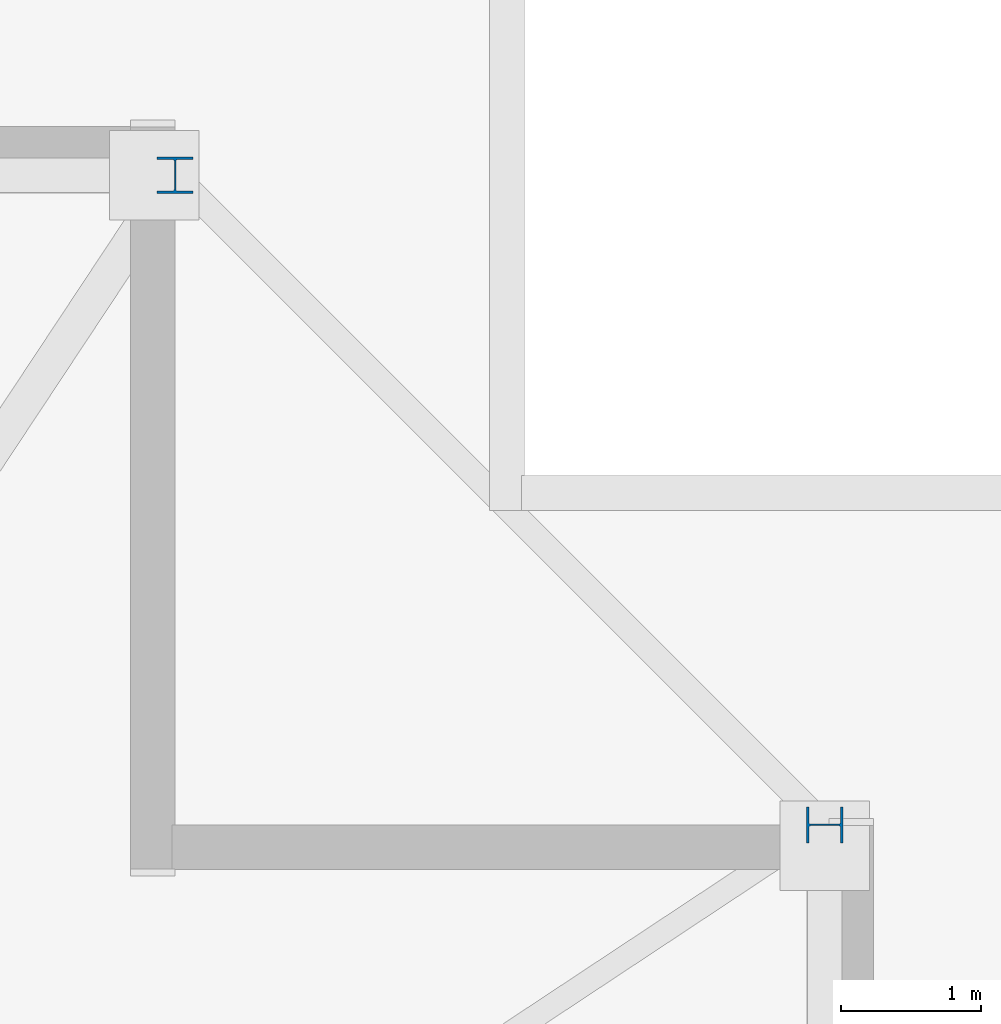
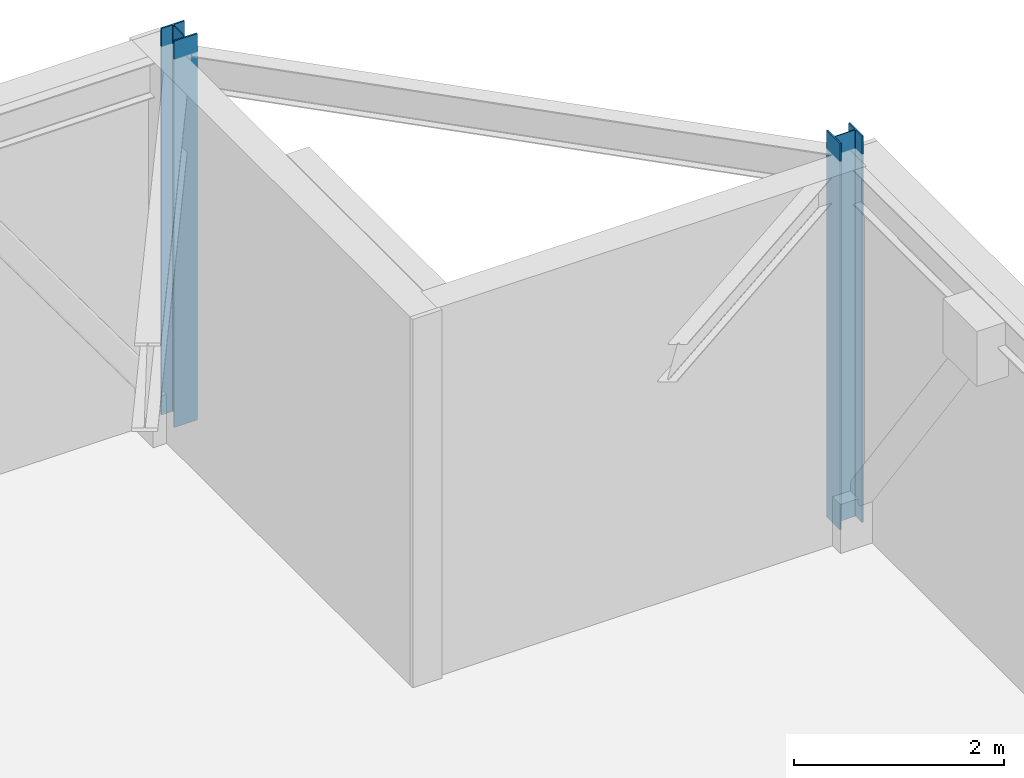
# One storey, part 5 of 18: 2 columns.
"""IFC4 building model written with IfcOpenShell, lengths in metres."""

from ifc_helpers import new_model, si_unit, direction, frame, origin, origin_2d, place, context, subcontext, project, spatial, i_section, extrude, material, material_profile, profile_set, type_object, element, save


model = new_model("IFC4")

# Units and contexts
model_context = context("Model", 3, precision=1e-05, world=origin(), true_north=direction((0.0, 1.0)))
body_context = subcontext(model_context, "Body", "Model", "MODEL_VIEW")
ifc_project = project(units=[si_unit("LENGTHUNIT", "METRE"), si_unit("AREAUNIT", "SQUARE_METRE"), si_unit("VOLUMEUNIT", "CUBIC_METRE"), si_unit("PLANEANGLEUNIT", "RADIAN"), si_unit("MASSUNIT", "GRAM", prefix="KILO")], contexts=[model_context])

# Site, building, storey
site_placement = place(None, origin())
site = spatial("IfcSite", under=ifc_project, at=site_placement, CompositionType="ELEMENT")
building_placement = place(site_placement, origin())
building = spatial("IfcBuilding", under=site, at=building_placement, Name="Cairnveth Concourse Tower", CompositionType="ELEMENT")
storey_placement = place(building_placement, frame((0.0, 0.0, 198.0)))
storey = spatial("IfcBuildingStorey", under=building, at=storey_placement, Name="L54", CompositionType="ELEMENT", Elevation=198.0)

# Columns
ifc_material = material(Name="Steel Grade 350", Category="steel")
ifc_material_profile = material_profile(ifc_material, i_section(OverallWidth=0.256103515625, OverallDepth=0.260009765625, WebThickness=0.010498046875, FlangeThickness=0.017333984375, FilletRadius=0.012939453125, at=origin_2d()), Name="250UC89.5")
ifc_profile_set = profile_set([ifc_material_profile], Name="Steel Grade 350")
column_type = type_object("IfcColumnType", Name="UNIVERSAL STEEL COLUMN 250UC89.5", PredefinedType="COLUMN", material=ifc_profile_set)
for number, where, z_axis, x_axis, name in (
    (1, (74.14990234375, 56.5, 0.0), (0.0, 0.0, 1.0), (0.0, 1.0, 0.0), "Column P-E4 L54"),
    (2, (69.5, 61.14990234375, 0.0), (0.0, 0.0, 1.0), (1.0, 0.0, 0.0), "Column P-N1 L54"),
):
    element("IfcColumn", number, at=place(storey_placement, frame(where, z_axis=z_axis, x_axis=x_axis)), inside=storey, type_object=column_type, Name=name, PredefinedType="COLUMN", context=body_context, shape_type="SweptSolid", body=[
        extrude(i_section(OverallWidth=0.256103515625, OverallDepth=0.260009765625, WebThickness=0.010498046875, FlangeThickness=0.017333984375, FilletRadius=0.012939453125, at=origin_2d()), origin(), (0.0, 0.0, 1.0), 4.5),
    ])

save(model, "model.ifc")
